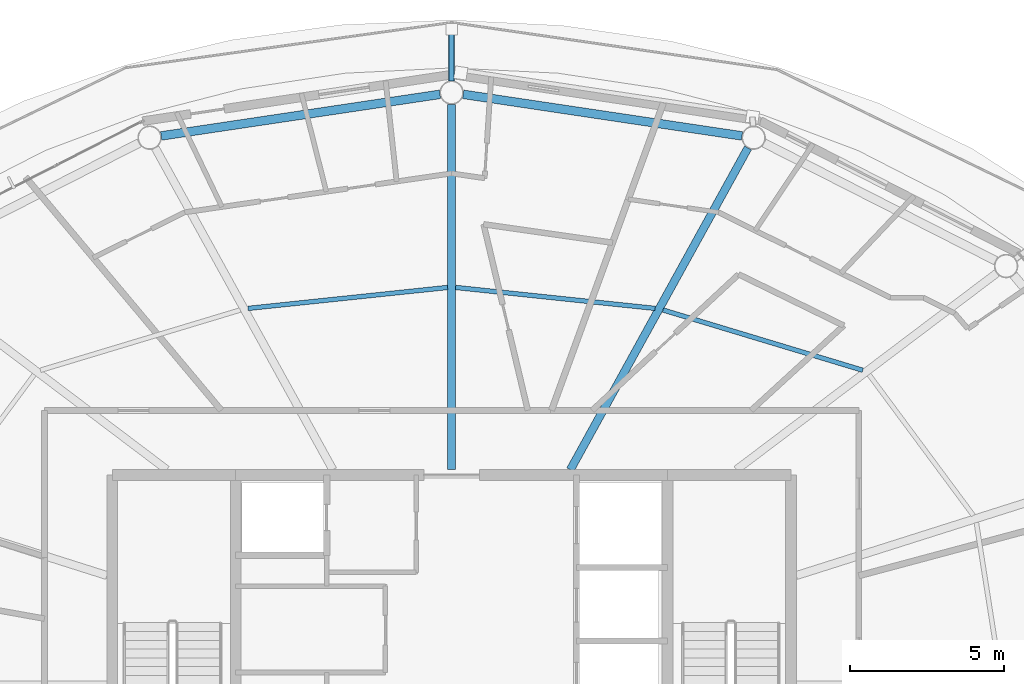
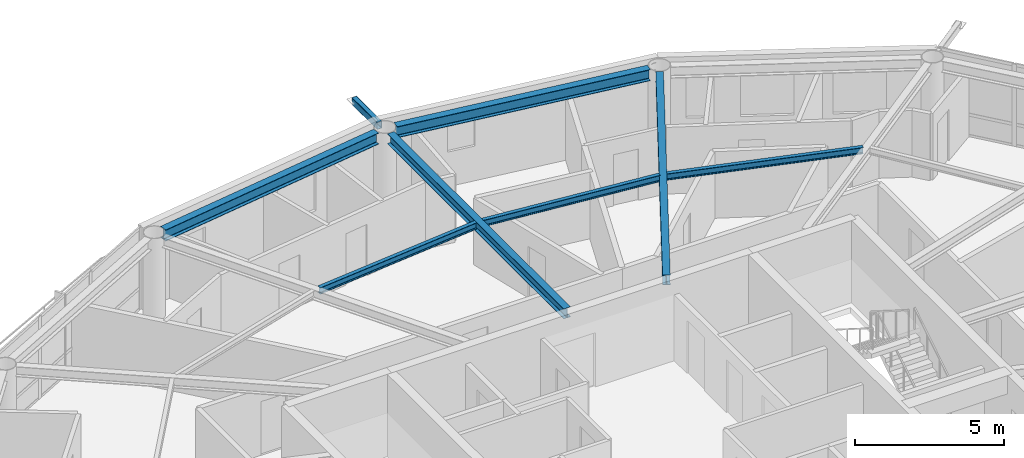
# One storey, part 10 of 23: 7 beams, 1 member.
"""IFC4 building model written with IfcOpenShell, lengths in metres."""

import ifcopenshell
import ifcopenshell.guid

model = None  # the IFC model being written
_history = None  # IfcOwnerHistory: only IFC2X3 demands one
_inside = {}  # id of a spatial element -> (the spatial element, [elements in it])
_under = {}  # id of a project, library or spatial element -> (it, [spatial elements below it])
_declared = {}  # id of a project -> (the project, [libraries it declares])
_typed = {}  # id of a type object -> (the type object, [elements of that type])
_made_of = {}  # id of a material, layer set ... -> (it, [elements and type objects made of it])


def new_model(schema):
    """Start an empty IFC model of exactly this schema.

    Asked for "IFC4X3", IfcOpenShell would pick the latest addendum, in which some entities
    have other attributes; the version numbers below select the first issue.
    IFC2X3 requires an IfcOwnerHistory on every rooted entity: one is made here for all.
    """
    global model, _history
    if schema == "IFC4X3":
        model = ifcopenshell.file(schema_version=(4, 3, 0, 0))
    else:
        model = ifcopenshell.file(schema=schema)
    _inside.clear()
    _under.clear()
    _declared.clear()
    _typed.clear()
    _made_of.clear()
    _history = None
    if model.schema == "IFC2X3":
        org = make("IfcOrganization", Name="unknown")
        user = make(
            "IfcPersonAndOrganization",
            ThePerson=make("IfcPerson", FamilyName="unknown"),
            TheOrganization=org,
        )
        app = make(
            "IfcApplication",
            ApplicationDeveloper=org,
            Version="unknown",
            ApplicationFullName="unknown",
            ApplicationIdentifier="unknown",
        )
        _history = make(
            "IfcOwnerHistory",
            OwningUser=user,
            OwningApplication=app,
            ChangeAction="ADDED",
            CreationDate=0,
        )
    return model


def make(cls, **values):
    """One entity of the class cls with the attributes given. An attribute that is None is left unset."""
    return model.create_entity(
        cls, **{name: value for name, value in values.items() if value is not None}
    )


def rooted(cls, **values):
    """An entity with a GlobalId (a new one), such as an element, a storey or a relation."""
    return make(cls, GlobalId=ifcopenshell.guid.new(), OwnerHistory=_history, **values)


def si_unit(unit_type, name, prefix=None):
    """IfcSIUnit, for example si_unit("LENGTHUNIT", "METRE", prefix="MILLI")."""
    return make("IfcSIUnit", UnitType=unit_type, Prefix=prefix, Name=name)


def assignment(units):
    """IfcUnitAssignment: the units of a project."""
    return None if units is None else make("IfcUnitAssignment", Units=units)


def point(xyz):
    """IfcCartesianPoint."""
    return None if xyz is None else make("IfcCartesianPoint", Coordinates=xyz)


def direction(xyz):
    """IfcDirection."""
    return None if xyz is None else make("IfcDirection", DirectionRatios=xyz)


def frame(location, z_axis=None, x_axis=None):
    """IfcAxis2Placement3D, a coordinate frame: its origin and axes. An axis left out is left unset."""
    return make(
        "IfcAxis2Placement3D",
        Location=point(location),
        Axis=direction(z_axis),
        RefDirection=direction(x_axis),
    )


def frame_2d(location, x_axis=None):
    """IfcAxis2Placement2D, a coordinate frame in the plane: its origin and x axis."""
    return make(
        "IfcAxis2Placement2D", Location=point(location), RefDirection=direction(x_axis)
    )


def origin():
    """The frame at (0, 0, 0) with its axes left unset."""
    return frame((0.0, 0.0, 0.0))


def origin_2d():
    """The frame at (0, 0) in the plane with its x axis left unset."""
    return frame_2d((0.0, 0.0))


def place(relative_to, where):
    """IfcLocalPlacement: puts the frame where relative to a parent placement (None: the world)."""
    return make(
        "IfcLocalPlacement", PlacementRelTo=relative_to, RelativePlacement=where
    )


def context(
    kind, dimensions, precision=None, world=None, true_north=None, identifier=None
):
    """IfcGeometricRepresentationContext, for example the 3D "Model" context."""
    return make(
        "IfcGeometricRepresentationContext",
        ContextIdentifier=identifier,
        ContextType=kind,
        CoordinateSpaceDimension=dimensions,
        Precision=precision,
        WorldCoordinateSystem=world,
        TrueNorth=true_north,
    )


def subcontext(parent, identifier, kind, view, scale=None):
    """IfcGeometricRepresentationSubContext, for example "Body" below "Model"."""
    return make(
        "IfcGeometricRepresentationSubContext",
        ContextIdentifier=identifier,
        ContextType=kind,
        ParentContext=parent,
        TargetScale=scale,
        TargetView=view,
    )


def project(units=None, contexts=None):
    """IfcProject with its units and contexts."""
    return rooted(
        "IfcProject",
        Name="project",
        RepresentationContexts=contexts,
        UnitsInContext=assignment(units),
    )


def spatial(cls, under=None, at=None, **own):
    """A site, building, storey or space (cls), placed at a placement, below another one or the project."""
    s = rooted(cls, ObjectPlacement=at, **own)
    if under is not None:
        _under.setdefault(under.id(), (under, []))[1].append(s)
    return s


def profile(cls, at=None, kind="AREA", **sizes):
    """A parametric profile (cls). Its sizes go by their IFC names, for example OverallWidth=200.0."""
    return make(cls, ProfileType=kind, Position=at, **sizes)


def hollow_rectangle(**sizes):
    """IfcRectangleHollowProfileDef."""
    return profile("IfcRectangleHollowProfileDef", **sizes)


def i_section(**sizes):
    """IfcIShapeProfileDef."""
    return profile("IfcIShapeProfileDef", **sizes)


def extrude(swept, where, along, depth):
    """IfcExtrudedAreaSolid: the profile swept, set in the frame where, extruded along a direction by depth."""
    return make(
        "IfcExtrudedAreaSolid",
        SweptArea=swept,
        Position=where,
        ExtrudedDirection=direction(along),
        Depth=depth,
    )


def shape(context_of_items, identifier, shape_type, items):
    """IfcShapeRepresentation: the items that make up one representation, for example the "Body"."""
    return make(
        "IfcShapeRepresentation",
        ContextOfItems=context_of_items,
        RepresentationIdentifier=identifier,
        RepresentationType=shape_type,
        Items=items,
    )


def material(Name=None, Category=None):
    """IfcMaterial."""
    return make("IfcMaterial", Name=Name, Category=Category)


def material_profile(
    of_material, cross_section, Name=None, Category=None, Priority=None
):
    """IfcMaterialProfile: a cross section and its material."""
    return make(
        "IfcMaterialProfile",
        Name=Name,
        Material=of_material,
        Profile=cross_section,
        Priority=Priority,
        Category=Category,
    )


def profile_set(profiles, Name=None, composite=None):
    """IfcMaterialProfileSet."""
    return make(
        "IfcMaterialProfileSet",
        Name=Name,
        MaterialProfiles=profiles,
        CompositeProfile=composite,
    )


def made_of(thing, what):
    """Note that an element or type object is made of a material, layer set ...; save() writes the relation."""
    if what is not None:
        _made_of.setdefault(what.id(), (what, []))[1].append(thing)
    return thing


def type_object(cls, material=None, **own):
    """A type object (cls), such as IfcWallType, which elements share."""
    return made_of(rooted(cls, **own), material)


def element(
    cls,
    number,
    at=None,
    inside=None,
    cuts=None,
    type_object=None,
    material=None,
    context=None,
    identifier="Body",
    shape_type=None,
    held_by="IfcProductDefinitionShape",
    body=None,
    shapes=None,
    **own,
):
    """One element of the class cls, such as IfcWall. Its Tag is "e" and its number.

    at: its placement. inside: the storey or other place that contains it. cuts: it is an
    opening in that element (IfcRelVoidsElement). A single representation is given by context,
    identifier, shape_type and body (its items); several are given by shapes. held_by: the class
    of the entity that holds the representations. save() writes the other relations.
    """
    e = rooted(cls, Tag="e%d" % number, ObjectPlacement=at, **own)
    if body is not None:
        shapes = [shape(context, identifier, shape_type, body)]
    if shapes is not None:
        e.Representation = make(held_by, Representations=shapes)
    if inside is not None:
        _inside.setdefault(inside.id(), (inside, []))[1].append(e)
    if cuts is not None:
        rooted(
            "IfcRelVoidsElement", RelatingBuildingElement=cuts, RelatedOpeningElement=e
        )
    if type_object is not None:
        _typed.setdefault(type_object.id(), (type_object, []))[1].append(e)
    return made_of(e, material)


def aggregate(whole, parts):
    """IfcRelAggregates: a whole, such as a stair, and the parts it consists of."""
    return rooted("IfcRelAggregates", RelatingObject=whole, RelatedObjects=parts)


def save(model, path):
    """Write the relations noted so far, then the file.

    IfcRelAggregates (storeys below a building ...), IfcRelContainedInSpatialStructure (elements
    in a storey), IfcRelDefinesByType, IfcRelAssociatesMaterial and IfcRelDeclares: one each for
    every whole, place, type object, material and project.
    """
    for whole, parts in _under.values():
        aggregate(whole, parts)
    for where, things in _inside.values():
        rooted(
            "IfcRelContainedInSpatialStructure",
            RelatedElements=things,
            RelatingStructure=where,
        )
    for kind, things in _typed.values():
        rooted("IfcRelDefinesByType", RelatedObjects=things, RelatingType=kind)
    for what, things in _made_of.values():
        rooted("IfcRelAssociatesMaterial", RelatedObjects=things, RelatingMaterial=what)
    for by, libraries in _declared.values():
        rooted("IfcRelDeclares", RelatingContext=by, RelatedDefinitions=libraries)
    model.write(path)


model = new_model("IFC4")

# Units and contexts
model_context = context("Model", 3, precision=1e-05, world=origin(), true_north=direction((0.0, 1.0)))
body_context = subcontext(model_context, "Body", "Model", "MODEL_VIEW")
ifc_project = project(units=[si_unit("LENGTHUNIT", "METRE"), si_unit("AREAUNIT", "SQUARE_METRE"), si_unit("VOLUMEUNIT", "CUBIC_METRE"), si_unit("PLANEANGLEUNIT", "RADIAN"), si_unit("MASSUNIT", "GRAM", prefix="KILO")], contexts=[model_context])

# Site, building, storey
site_placement = place(None, origin())
site = spatial("IfcSite", under=ifc_project, at=site_placement, CompositionType="ELEMENT")
building_placement = place(site_placement, origin())
building = spatial("IfcBuilding", under=site, at=building_placement, Name="Sarneth Arch Tower", CompositionType="ELEMENT")
storey_placement = place(building_placement, frame((0.0, 0.0, 269.39990234375)))
storey = spatial("IfcBuildingStorey", under=building, at=storey_placement, Name="L69", CompositionType="ELEMENT", Elevation=269.39990234375)

# Beams
ifc_material_1 = material(Name="Steel S355", Category="steel")
ifc_material_profile_1 = material_profile(ifc_material_1, i_section(OverallWidth=0.14794921875, OverallDepth=0.26611328125, WebThickness=0.007568359375, FlangeThickness=0.012939453125, FilletRadius=0.012939453125, at=origin_2d()), Name="W250x44.8")
ifc_profile_set_1 = profile_set([ifc_material_profile_1], Name="Steel S355")
beam_type_1 = type_object("IfcBeamType", Name="BM-JOIST-250", PredefinedType="JOIST", material=ifc_profile_set_1)
beam_1_placement = place(storey_placement, frame((61.32861328125, 52.198486328125, 3.237060546875), z_axis=(-0.957373106971, 0.288854174367, 0.0), x_axis=(-0.288854174367, -0.957373106971, 0.0)))
element("IfcBeam", 1, at=beam_1_placement, inside=storey, type_object=beam_type_1, Name="L69 Secondary floor joist 03", PredefinedType="JOIST", context=body_context, shape_type="SweptSolid", body=[
    extrude(i_section(OverallWidth=0.14794921875, OverallDepth=0.26611328125, WebThickness=0.007568359375, FlangeThickness=0.012939453125, FilletRadius=0.012939453125, at=origin_2d()), origin(), (0.0, 0.0, 1.0), 6.76416015625),
])
for number, where, z_axis, x_axis, name in (
    (2, (54.59912109375, 54.20361328125, 3.237060546875), (-0.994526818736, 0.104481609938, 0.0), (-0.104481609938, -0.994526818736, 0.0), "L69 Secondary floor joist 04"),
    (3, (47.87060546875, 54.88330078125, 3.237060546875), (-0.994526818736, -0.104481609938, 0.0), (0.104481609938, -0.994526818736, 0.0), "L69 Secondary floor joist 05"),
):
    element("IfcBeam", number, at=place(storey_placement, frame(where, z_axis=z_axis, x_axis=x_axis)), inside=storey, type_object=beam_type_1, Name=name, PredefinedType="JOIST", context=body_context, shape_type="SweptSolid", body=[
        extrude(i_section(OverallWidth=0.14794921875, OverallDepth=0.26611328125, WebThickness=0.007568359375, FlangeThickness=0.012939453125, FilletRadius=0.012939453125, at=origin_2d()), origin(), (0.0, 0.0, 1.0), 6.50537109375),
    ])
ifc_material_2 = material(Name="Steel S355", Category="steel")
ifc_material_profile_2 = material_profile(ifc_material_2, i_section(OverallWidth=0.260009765625, OverallDepth=0.4150390625, WebThickness=0.010009765625, FlangeThickness=0.016845703125, FilletRadius=0.01611328125, at=origin_2d()), Name="W410x100")
ifc_profile_set_2 = profile_set([ifc_material_profile_2], Name="Steel S355")
beam_type_2 = type_object("IfcBeamType", Name="BM-RAD-410A", PredefinedType="BEAM", material=ifc_profile_set_2)
beam_2_placement = place(storey_placement, frame((51.849853515625, 48.97509765625, 3.16259765625), z_axis=(0.483231193732, 0.875492783182, 0.0), x_axis=(-0.875492783182, 0.483231193732, 0.0)))
element("IfcBeam", 4, at=beam_2_placement, inside=storey, type_object=beam_type_2, Name="L69 Radial floor girder 04", PredefinedType="BEAM", context=body_context, shape_type="SweptSolid", body=[
    extrude(i_section(OverallWidth=0.260009765625, OverallDepth=0.4150390625, WebThickness=0.010009765625, FlangeThickness=0.016845703125, FilletRadius=0.01611328125, at=origin_2d()), origin(), (0.0, 0.0, 1.0), 11.913330078125),
])
beam_3_placement = place(storey_placement, frame((48.0, 48.97509765625, 3.16259765625), z_axis=(0.0, 1.0, 0.0), x_axis=(-1.0, 0.0, 0.0)))
element("IfcBeam", 5, at=beam_3_placement, inside=storey, type_object=beam_type_2, Name="L69 Radial floor girder 05", PredefinedType="BEAM", context=body_context, shape_type="SweptSolid", body=[
    extrude(i_section(OverallWidth=0.260009765625, OverallDepth=0.4150390625, WebThickness=0.010009765625, FlangeThickness=0.016845703125, FilletRadius=0.01611328125, at=origin_2d()), origin(), (0.0, 0.0, 1.0), 11.843994140625),
])
ifc_material_3 = material(Name="Steel S355", Category="steel")
ifc_material_profile_3 = material_profile(ifc_material_3, i_section(OverallWidth=0.280029296875, OverallDepth=0.462890625, WebThickness=0.0107421875, FlangeThickness=0.017333984375, FilletRadius=0.01806640625, at=origin_2d()), Name="W460x113")
ifc_profile_set_3 = profile_set([ifc_material_profile_3], Name="Steel S355")
beam_type_3 = type_object("IfcBeamType", Name="BM-RAD-460A", PredefinedType="BEAM", material=ifc_profile_set_3)
for number, where, z_axis, x_axis, name in (
    (6, (57.4140625, 59.794677734375, 3.138671875), (-0.989040174637, 0.147646648973, 0.0), (-0.147646648973, -0.989040174637, 0.0), "L69 Perimeter spandrel beam 04"),
    (7, (47.623291015625, 61.143798828125, 3.138671875), (-0.989040174637, -0.147646648973, 0.0), (0.147646648973, -0.989040174637, 0.0), "L69 Perimeter spandrel beam 05"),
):
    element("IfcBeam", number, at=place(storey_placement, frame(where, z_axis=z_axis, x_axis=x_axis)), inside=storey, type_object=beam_type_3, Name=name, PredefinedType="BEAM", context=body_context, shape_type="SweptSolid", body=[
        extrude(i_section(OverallWidth=0.280029296875, OverallDepth=0.462890625, WebThickness=0.0107421875, FlangeThickness=0.017333984375, FilletRadius=0.01806640625, at=origin_2d()), origin(), (0.0, 0.0, 1.0), 9.137451171875),
    ])

# Member
ifc_material_4 = material(Name="Steel S355", Category="steel")
ifc_material_profile_4 = material_profile(ifc_material_4, hollow_rectangle(XDim=0.199951171875, YDim=0.300048828125, WallThickness=0.012451171875, InnerFilletRadius=0.018798828125, OuterFilletRadius=0.03125, at=origin_2d()), Name="RHS300x200x12.5")
ifc_profile_set_4 = profile_set([ifc_material_profile_4], Name="Steel S355")
member_type = type_object("IfcMemberType", Name="MEM-CANT-STRUT", PredefinedType="STRUT", material=ifc_profile_set_4)
member_placement = place(storey_placement, frame((48.0, 61.5810546875, 3.210205078125), z_axis=(0.0, 1.0, 0.0), x_axis=(-1.0, 0.0, 0.0)))
element("IfcMember", 8, at=member_placement, inside=storey, type_object=member_type, Name="L69 Balcony cantilever bracket 05", PredefinedType="STRUT", context=body_context, shape_type="SweptSolid", body=[
    extrude(hollow_rectangle(XDim=0.199951171875, YDim=0.300048828125, WallThickness=0.012451171875, InnerFilletRadius=0.018798828125, OuterFilletRadius=0.03125, at=origin_2d()), origin(), (0.0, 0.0, 1.0), 1.673095703125),
])

save(model, "model.ifc")
